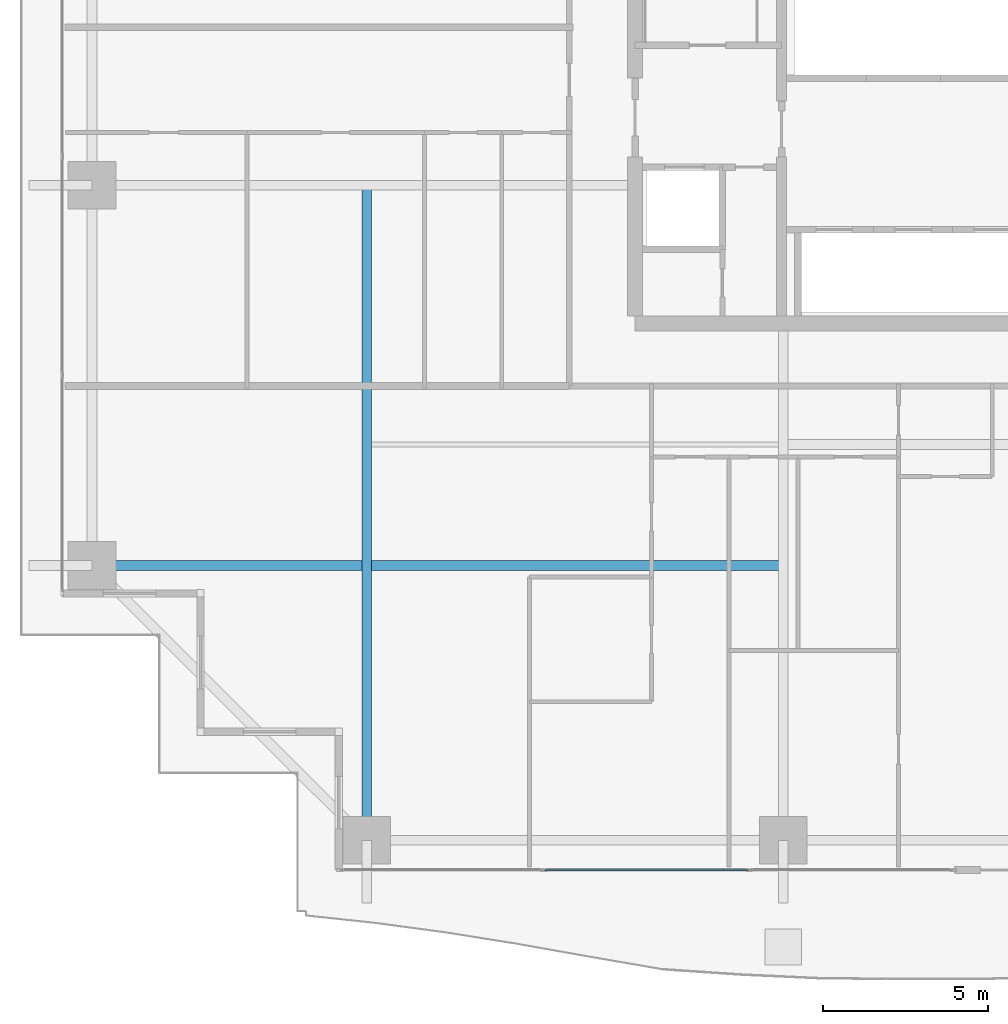
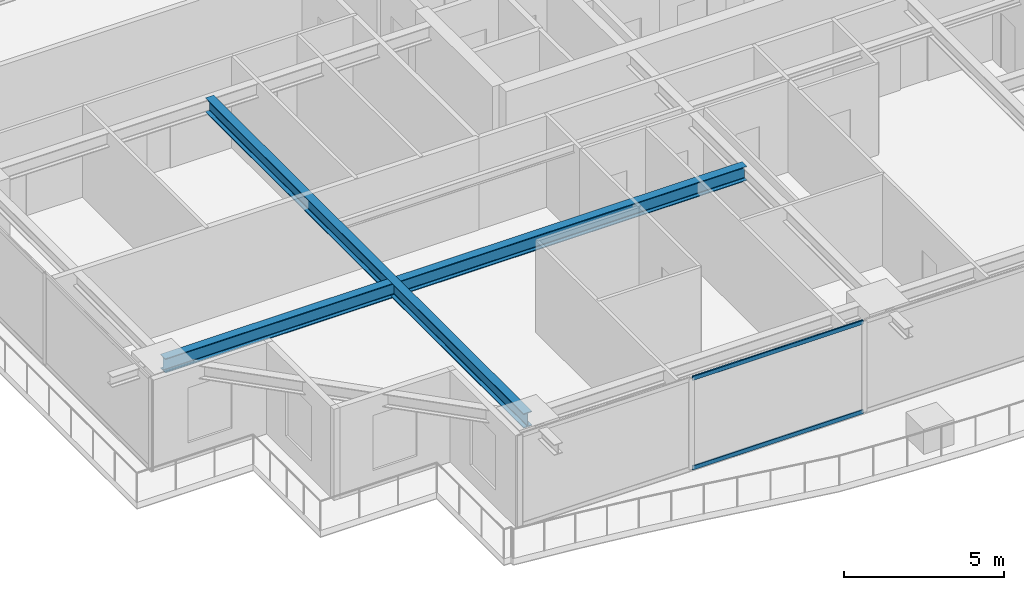
# One storey, part 4 of 39: 2 beams, 2 members, 1 element without a shape of its own.
"""IFC4 building model written with IfcOpenShell, lengths in metres."""

from ifc_helpers import new_model, si_unit, direction, frame, origin, origin_2d, place, context, subcontext, project, spatial, hollow_rectangle, i_section, extrude, source, transform, mapped, material, layer, layer_set, material_profile, profile_set, type_object, element, aggregate, save


model = new_model("IFC4")

# Units and contexts
model_context = context("Model", 3, precision=1e-05, world=origin(), true_north=direction((0.0, 1.0)))
body_context = subcontext(model_context, "Body", "Model", "MODEL_VIEW")
ifc_project = project(units=[si_unit("LENGTHUNIT", "METRE"), si_unit("AREAUNIT", "SQUARE_METRE"), si_unit("VOLUMEUNIT", "CUBIC_METRE"), si_unit("PLANEANGLEUNIT", "RADIAN"), si_unit("MASSUNIT", "GRAM", prefix="KILO")], contexts=[model_context])

# Site, building, storey
site_placement = place(None, origin())
site = spatial("IfcSite", under=ifc_project, at=site_placement, CompositionType="ELEMENT")
building_placement = place(site_placement, origin())
building = spatial("IfcBuilding", under=site, at=building_placement, Name="Serunith Strait Residences", CompositionType="ELEMENT")
storey_placement = place(building_placement, frame((0.0, 0.0, 49.199951171875)))
storey = spatial("IfcBuildingStorey", under=building, at=storey_placement, Name="L11", CompositionType="ELEMENT", Elevation=49.199951171875)

# Beams
ifc_material_1 = material(Name="Steel S355J2", Category="steel")
ifc_material_profile_1 = material_profile(ifc_material_1, i_section(OverallWidth=0.300048828125, OverallDepth=0.550048828125, WebThickness=0.014892578125, FlangeThickness=0.029052734375, FilletRadius=0.027099609375, at=origin_2d()), Name="HEB 550")
ifc_profile_set_1 = profile_set([ifc_material_profile_1], Name="Steel S355J2")
beam_type = type_object("IfcBeamType", Name="BM-HEB550", PredefinedType="BEAM", material=ifc_profile_set_1)
shared_shape_1 = source(origin(), body_context, "Body", "SweptSolid", [
    extrude(i_section(OverallWidth=0.300048828125, OverallDepth=0.550048828125, WebThickness=0.014892578125, FlangeThickness=0.029052734375, FilletRadius=0.027099609375, at=origin_2d()), origin(), (0.0, 0.0, 1.0), 19.89990234375),
])
beam_1_placement = place(storey_placement, frame((15.25, 21.0, 3.212158203125), z_axis=(0.0, -1.0, 0.0), x_axis=(1.0, 0.0, 0.0)))
element("IfcBeam", 1, at=beam_1_placement, inside=storey, type_object=beam_type, Name="L11 Orthogonal Corner Girder TC-S1", PredefinedType="BEAM", context=body_context, shape_type="MappedRepresentation", body=[
    mapped(shared_shape_1, transform((0.0, 0.0, 0.0), scale=1.0)),
])
shared_shape_2 = source(origin(), body_context, "Body", "SweptSolid", [
    extrude(i_section(OverallWidth=0.300048828125, OverallDepth=0.550048828125, WebThickness=0.014892578125, FlangeThickness=0.029052734375, FilletRadius=0.027099609375, at=origin_2d()), origin(), (0.0, 0.0, 1.0), 21.0),
])
beam_2_placement = place(storey_placement, frame((27.89990234375, 9.449951171875, 3.212158203125), z_axis=(-1.0, 0.0, 0.0), x_axis=(0.0, -1.0, 0.0)))
element("IfcBeam", 2, at=beam_2_placement, inside=storey, type_object=beam_type, Name="L11 Orthogonal Corner Girder TC-W1", PredefinedType="BEAM", context=body_context, shape_type="MappedRepresentation", body=[
    mapped(shared_shape_2, transform((0.0, 0.0, 0.0), scale=1.0)),
])

# Curtain wall, members
ifc_material_2 = material(Name="Pale-Champagne Anodised Aluminium", Category="aluminium")
ifc_layer = layer(ifc_material_2, 0.199951171875, Name="Pale-Champagne Anodised Aluminium")
ifc_layer_set = layer_set([ifc_layer], Name="Pale-Champagne Anodised Aluminium")
curtain_wall_type = type_object("IfcCurtainWallType", Name="CW-SYS1", PredefinedType="NOTDEFINED", material=ifc_layer_set)
curtain_wall_placement = place(storey_placement, origin())
curtain_wall = element("IfcCurtainWall", 3, at=curtain_wall_placement, inside=storey, type_object=curtain_wall_type, Name="L11 S Unitised Fritted Curtain Wall", PredefinedType="NOTDEFINED")
ifc_material_profile_2 = material_profile(ifc_material_2, hollow_rectangle(XDim=0.06005859375, YDim=0.159912109375, WallThickness=0.00341796875, InnerFilletRadius=0.00537109375, OuterFilletRadius=0.0087890625, at=origin_2d()), Name="ALU 160x60x3.5")
ifc_profile_set_2 = profile_set([ifc_material_profile_2], Name="Pale-Champagne Anodised Aluminium")
member_type = type_object("IfcMemberType", Name="CW-SYS1-TRAN", PredefinedType="USERDEFINED", material=ifc_profile_set_2)
shared_shape_3 = source(origin(), body_context, "Body", "SweptSolid", [
    extrude(hollow_rectangle(XDim=0.06005859375, YDim=0.159912109375, WallThickness=0.00341796875, InnerFilletRadius=0.00537109375, OuterFilletRadius=0.0087890625, at=origin_2d()), origin(), (0.0, 0.0, 1.0), 6.16357421875),
])
member_1_placement = place(storey_placement, frame((20.668212890625, 0.199951171875, 0.030029296875), z_axis=(1.0, 0.0, 0.0), x_axis=(0.0, 1.0, 0.0)))
member_1 = element("IfcMember", 4, at=member_1_placement, type_object=member_type, Name="CW-1 transom 2.1", ObjectType="TRANSOM", PredefinedType="USERDEFINED", context=body_context, shape_type="MappedRepresentation", body=[
    mapped(shared_shape_3, transform((0.0, 0.0, 0.0), scale=1.0)),
])
member_2_placement = place(storey_placement, frame((20.668212890625, 0.199951171875, 3.445068359375), z_axis=(1.0, 0.0, 0.0), x_axis=(0.0, 1.0, 0.0)))
member_2 = element("IfcMember", 5, at=member_2_placement, type_object=member_type, Name="CW-1 transom 2.2", ObjectType="TRANSOM", PredefinedType="USERDEFINED", context=body_context, shape_type="MappedRepresentation", body=[
    mapped(shared_shape_3, transform((0.0, 0.0, 0.0), scale=1.0)),
])
aggregate(curtain_wall, [member_1, member_2])

save(model, "model.ifc")
